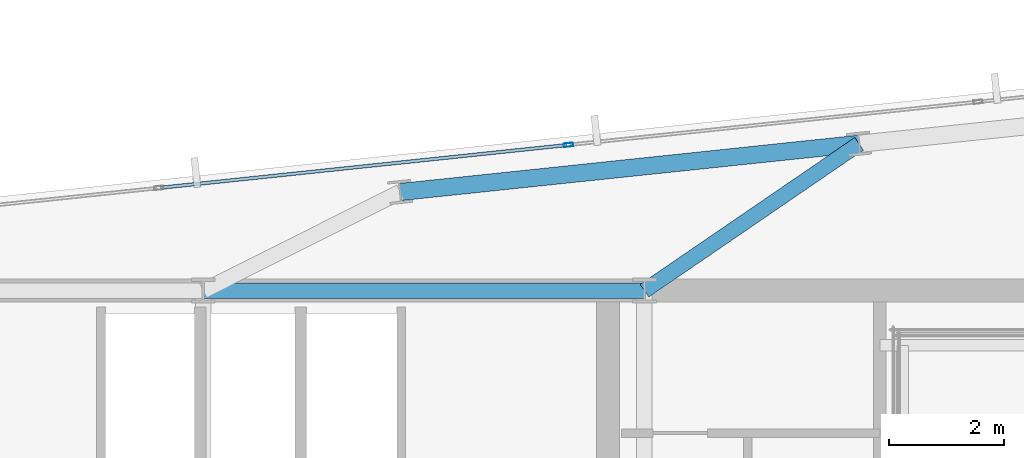
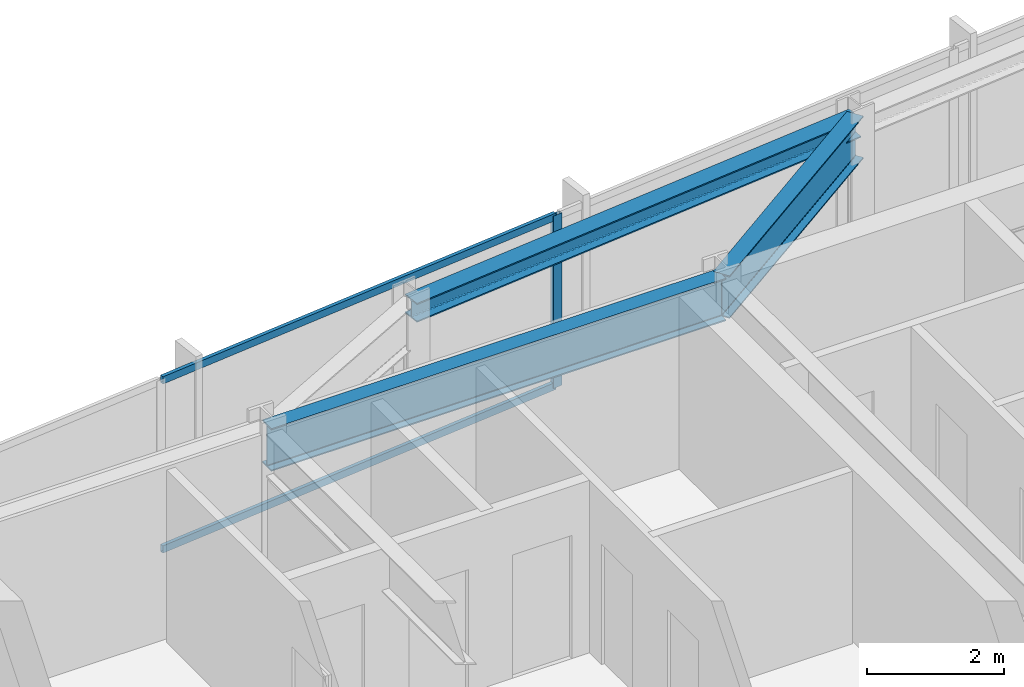
# One storey, part 22 of 32: 3 beams, 3 members, 1 element without a shape of its own.
"""IFC4 building model written with IfcOpenShell, lengths in metres."""

from ifc_helpers import new_model, si_unit, direction, frame, origin, origin_2d, place, context, subcontext, project, spatial, hollow_rectangle, i_section, extrude, material, material_profile, profile_set, type_object, element, aggregate, save


model = new_model("IFC4")

# Units and contexts
model_context = context("Model", 3, precision=1e-05, world=origin(), true_north=direction((0.0, 1.0)))
body_context = subcontext(model_context, "Body", "Model", "MODEL_VIEW")
ifc_project = project(units=[si_unit("LENGTHUNIT", "METRE"), si_unit("AREAUNIT", "SQUARE_METRE"), si_unit("VOLUMEUNIT", "CUBIC_METRE"), si_unit("PLANEANGLEUNIT", "RADIAN"), si_unit("MASSUNIT", "GRAM", prefix="KILO")], contexts=[model_context])

# Site, building, storey
site_placement = place(None, origin())
site = spatial("IfcSite", under=ifc_project, at=site_placement, CompositionType="ELEMENT")
building_placement = place(site_placement, origin())
building = spatial("IfcBuilding", under=site, at=building_placement, Name="Yelkora Congress Tower", CompositionType="ELEMENT")
storey_placement = place(building_placement, frame((0.0, 0.0, 214.39990234375)))
storey = spatial("IfcBuildingStorey", under=building, at=storey_placement, Name="L59", CompositionType="ELEMENT", Elevation=214.39990234375)

# Beams
ifc_material_1 = material(Name="Steel S355J2", Category="steel")
ifc_material_profile_1 = material_profile(ifc_material_1, i_section(OverallWidth=0.26708984375, OverallDepth=0.761962890625, WebThickness=0.014404296875, FlangeThickness=0.021484375, FilletRadius=0.01708984375, at=origin_2d()), Name="IPE 750x173")
ifc_profile_set_1 = profile_set([ifc_material_profile_1], Name="Steel S355J2")
beam_type_1 = type_object("IfcBeamType", Name="BM-GIRD-IPE750", PredefinedType="BEAM", material=ifc_profile_set_1)
beam_1_placement = place(storey_placement, frame((38.39990234375, 46.199951171875, 2.69921875), z_axis=(1.0, 0.0, 0.0), x_axis=(0.0, 1.0, 0.0)))
element("IfcBeam", 1, at=beam_1_placement, inside=storey, type_object=beam_type_1, Name="L59 Core North Girder 4", PredefinedType="BEAM", context=body_context, shape_type="SweptSolid", body=[
    extrude(i_section(OverallWidth=0.26708984375, OverallDepth=0.761962890625, WebThickness=0.014404296875, FlangeThickness=0.021484375, FilletRadius=0.01708984375, at=origin_2d()), origin(), (0.0, 0.0, 1.0), 7.68017578125),
])
beam_2_placement = place(storey_placement, frame((49.8173828125, 48.757080078125, 2.69921875), z_axis=(-0.825304616438, -0.564687781067, 0.0), x_axis=(0.564687781067, -0.825304616438, 0.0)))
element("IfcBeam", 2, at=beam_2_placement, inside=storey, type_object=beam_type_1, Name="L59 Primary Frame Girder N05", PredefinedType="BEAM", context=body_context, shape_type="SweptSolid", body=[
    extrude(i_section(OverallWidth=0.26708984375, OverallDepth=0.761962890625, WebThickness=0.014404296875, FlangeThickness=0.021484375, FilletRadius=0.01708984375, at=origin_2d()), origin(), (0.0, 0.0, 1.0), 4.5283203125),
])
ifc_material_profile_2 = material_profile(ifc_material_1, i_section(OverallWidth=0.300048828125, OverallDepth=0.340087890625, WebThickness=0.011962890625, FlangeThickness=0.021484375, FilletRadius=0.027099609375, at=origin_2d()), Name="HEB 340")
ifc_profile_set_2 = profile_set([ifc_material_profile_2], Name="Steel S355J2")
beam_type_2 = type_object("IfcBeamType", Name="BM-SPAN-HEB340", PredefinedType="SPANDREL", material=ifc_profile_set_2)
beam_3_placement = place(storey_placement, frame((49.8173828125, 48.757080078125, 2.91015625), z_axis=(-0.994523256947, -0.104515507904, 0.0), x_axis=(0.104515507904, -0.994523256947, 0.0)))
element("IfcBeam", 3, at=beam_3_placement, inside=storey, type_object=beam_type_2, Name="L59 Perimeter Beam 15", PredefinedType="SPANDREL", context=body_context, shape_type="SweptSolid", body=[
    extrude(i_section(OverallWidth=0.300048828125, OverallDepth=0.340087890625, WebThickness=0.011962890625, FlangeThickness=0.021484375, FilletRadius=0.027099609375, at=origin_2d()), origin(), (0.0, 0.0, 1.0), 8.033203125),
])

# Curtain wall, members
ifc_material_2 = material(Name="Anodised aluminium and insulated glass", Category="aluminium")
curtain_wall_type = type_object("IfcCurtainWallType", Name="CW-SYS-B4", PredefinedType="NOTDEFINED", material=ifc_material_2)
curtain_wall_placement = place(storey_placement, origin())
curtain_wall = element("IfcCurtainWall", 4, at=curtain_wall_placement, inside=storey, type_object=curtain_wall_type, Name="L59 Unitised Curtain Wall 10 (3)", PredefinedType="NOTDEFINED")
ifc_material_3 = material(Name="Anodised aluminium 6063-T6", Category="aluminium")
ifc_material_profile_3 = material_profile(ifc_material_3, hollow_rectangle(XDim=0.06494140625, YDim=0.159912109375, WallThickness=0.00390625, at=origin_2d()), Name="ALU 65x160x4")
ifc_profile_set_3 = profile_set([ifc_material_profile_3], Name="Anodised aluminium 6063-T6")
member_type_1 = type_object("IfcMemberType", Name="MEM-ML-B4", PredefinedType="MULLION", material=ifc_profile_set_3)
member_1_placement = place(storey_placement, frame((44.75830078125, 48.73828125, 0.0), z_axis=(0.0, 0.0, 1.0), x_axis=(-0.104527724021, 0.994521973066, 0.0)))
member_1 = element("IfcMember", 5, at=member_1_placement, type_object=member_type_1, Name="CW-B4 mullion 4", PredefinedType="MULLION", context=body_context, shape_type="SweptSolid", body=[
    extrude(hollow_rectangle(XDim=0.06494140625, YDim=0.159912109375, WallThickness=0.00390625, at=origin_2d()), origin(), (0.0, 0.0, 1.0), 3.080078125),
])
ifc_material_profile_4 = material_profile(ifc_material_3, hollow_rectangle(XDim=0.06005859375, YDim=0.1298828125, WallThickness=0.00390625, at=origin_2d()), Name="ALU 60x130x4")
ifc_profile_set_4 = profile_set([ifc_material_profile_4], Name="Anodised aluminium 6063-T6")
member_type_2 = type_object("IfcMemberType", Name="MEM-TR-B4", PredefinedType="USERDEFINED", material=ifc_profile_set_4)
member_2_placement = place(storey_placement, frame((37.659912109375, 47.9921875, 0.030029296875), z_axis=(0.994521633799, 0.104530951904, 0.0), x_axis=(-0.104530951904, 0.994521633799, 0.0)))
member_2 = element("IfcMember", 6, at=member_2_placement, type_object=member_type_2, Name="CW-B4 transom 3.1", ObjectType="TRANSOM", PredefinedType="USERDEFINED", context=body_context, shape_type="SweptSolid", body=[
    extrude(hollow_rectangle(XDim=0.06005859375, YDim=0.1298828125, WallThickness=0.00390625, at=origin_2d()), origin(), (0.0, 0.0, 1.0), 7.104736328125),
])
member_3_placement = place(storey_placement, frame((37.659912109375, 47.9921875, 3.050048828125), z_axis=(0.994521633799, 0.104530951904, 0.0), x_axis=(-0.104530951904, 0.994521633799, 0.0)))
member_3 = element("IfcMember", 7, at=member_3_placement, type_object=member_type_2, Name="CW-B4 transom 3.2", ObjectType="TRANSOM", PredefinedType="USERDEFINED", context=body_context, shape_type="SweptSolid", body=[
    extrude(hollow_rectangle(XDim=0.06005859375, YDim=0.1298828125, WallThickness=0.00390625, at=origin_2d()), origin(), (0.0, 0.0, 1.0), 7.104736328125),
])
aggregate(curtain_wall, [member_1, member_2, member_3])

save(model, "model.ifc")
